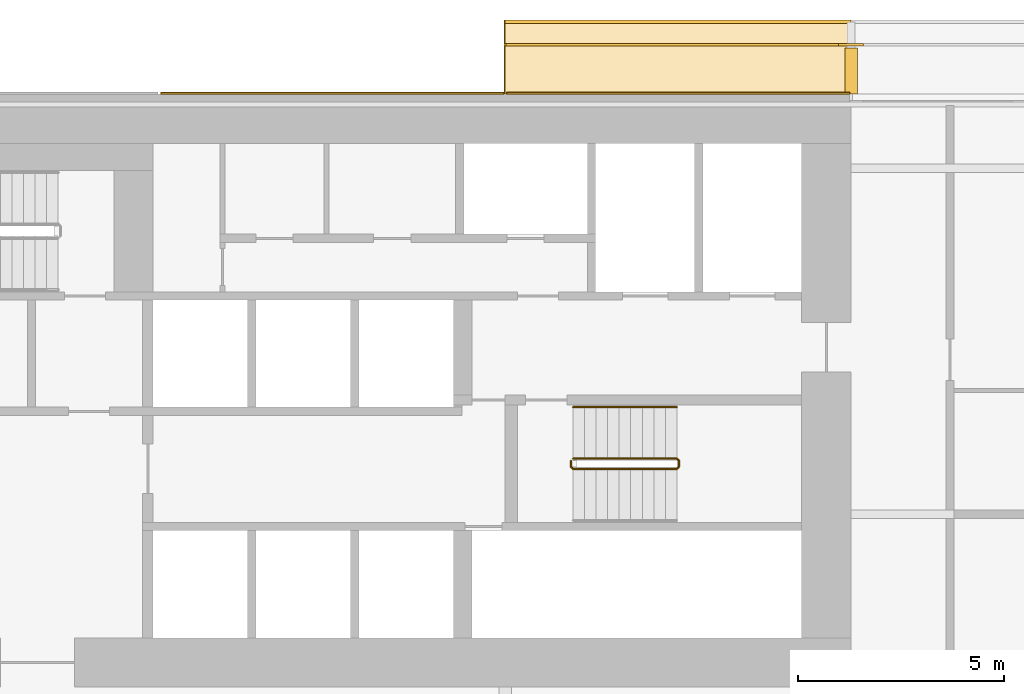
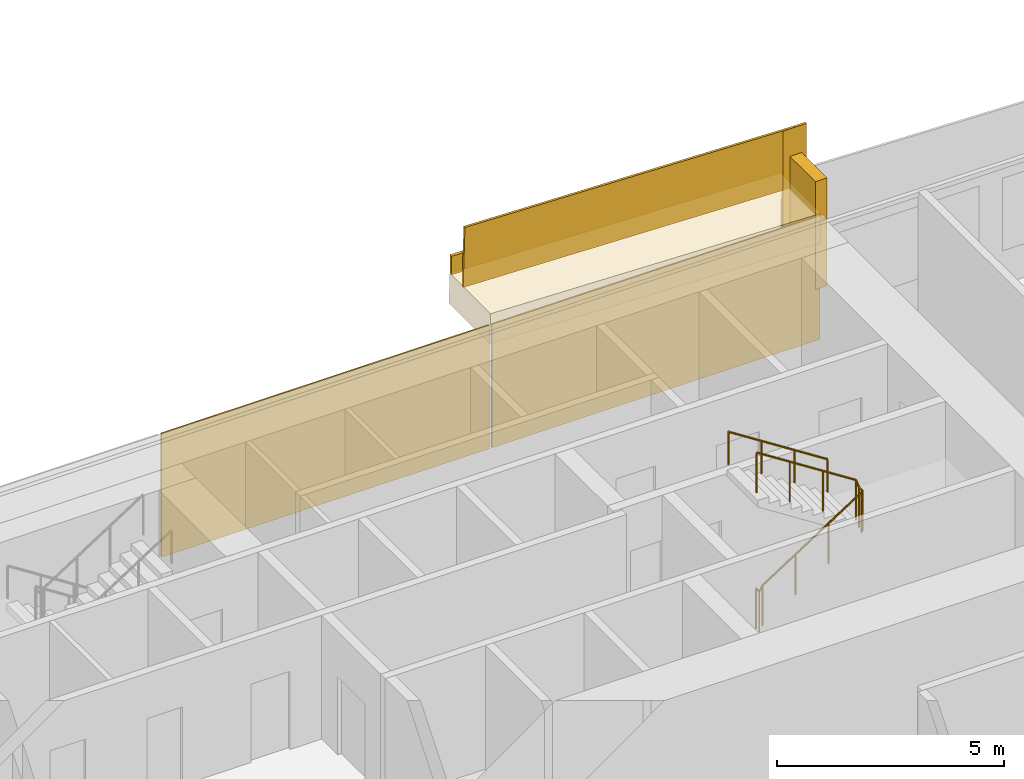
# One storey, part 28 of 30: 5 coverings, 4 railings.
"""IFC4 building model written with IfcOpenShell, lengths in metres."""

from ifc_helpers import new_model, si_unit, direction, frame, origin, origin_2d, place, context, subcontext, project, spatial, polyline, rectangle, circle, outline, extrude, material, layer, layer_set, type_object, element, save


model = new_model("IFC4")

# Units and contexts
model_context = context("Model", 3, precision=1e-05, world=origin(), true_north=direction((0.0, 1.0)))
body_context = subcontext(model_context, "Body", "Model", "MODEL_VIEW")
ifc_project = project(units=[si_unit("LENGTHUNIT", "METRE"), si_unit("AREAUNIT", "SQUARE_METRE"), si_unit("VOLUMEUNIT", "CUBIC_METRE"), si_unit("PLANEANGLEUNIT", "RADIAN"), si_unit("MASSUNIT", "GRAM", prefix="KILO")], contexts=[model_context])

# Site, building, storey
site_placement = place(None, origin())
site = spatial("IfcSite", under=ifc_project, at=site_placement, CompositionType="ELEMENT")
building_placement = place(site_placement, origin())
building = spatial("IfcBuilding", under=site, at=building_placement, Name="Saffron Gate Tower", CompositionType="ELEMENT")
storey_placement = place(building_placement, frame((0.0, 0.0, 37.199951171875)))
storey = spatial("IfcBuildingStorey", under=building, at=storey_placement, Name="L07", CompositionType="ELEMENT", Elevation=37.199951171875)

# Coverings
ifc_material_1 = material(Name="Ceramic-printed bronze insulated panel")
ifc_layer_1 = layer(ifc_material_1, 0.0400390625)
ifc_layer_set_1 = layer_set([ifc_layer_1], Name="CLD1 ceramic-printed cladding panel 40")
covering_type_1 = type_object("IfcCoveringType", Name="CLD1 ceramic-printed cladding panel 40", PredefinedType="CLADDING", material=ifc_layer_set_1)
covering_1_placement = place(storey_placement, origin())
element("IfcCovering", 1, at=covering_1_placement, inside=storey, type_object=covering_type_1, Name="CLADDING ceramic-printed panel", PredefinedType="CLADDING", context=body_context, shape_type="SweptSolid", body=[
    extrude(outline(polyline([(108.56494140625, 75.639892578125), (100.235107421875, 75.639892578125), (100.235107421875, 75.60009765625), (108.56494140625, 75.60009765625), (108.56494140625, 75.639892578125)])), origin(), (0.0, 0.0, 1.0), 3.320068359375),
])
covering_2_placement = place(storey_placement, origin())
element("IfcCovering", 2, at=covering_2_placement, inside=storey, type_object=covering_type_1, Name="CLADDING ceramic-printed panel", PredefinedType="CLADDING", context=body_context, shape_type="SweptSolid", body=[
    extrude(outline(polyline([(100.1650390625, 75.639892578125), (91.8349609375, 75.639892578125), (91.8349609375, 75.60009765625), (100.1650390625, 75.60009765625), (100.1650390625, 75.639892578125)])), origin(), (0.0, 0.0, 1.0), 3.320068359375),
])

# Railings
ifc_material_2 = material(Name="Stainless steel and laminated glass", Category="steel")
railing_type_1 = type_object("IfcRailingType", Name="CR1 Stair guard 1100", PredefinedType="GUARDRAIL", material=ifc_material_2)
railing_1_placement = place(storey_placement, frame((101.800048828125, 66.699951171875, 0.0)))
element("IfcRailing", 3, at=railing_1_placement, inside=storey, type_object=railing_type_1, Name="L07 ST-B stair guard 1", PredefinedType="GUARDRAIL", context=body_context, shape_type="SweptSolid", body=[
    extrude(circle(Radius=0.02392578125, at=origin_2d()), frame((0.0, 0.0, 1.076171875), z_axis=(0.0, -1.0, 0.0), x_axis=(1.0, 0.0, 0.0)), (0.0, 0.0, 1.0), 0.14990234375),
    extrude(circle(Radius=0.02392578125, at=origin_2d()), frame((0.0, -0.14990234375, 1.076171875), z_axis=(0.258847668887, -0.258847668887, 0.930588936439), x_axis=(0.707106781187, 0.707106781187, 0.0)), (0.0, 0.0, 1.0), 0.193359375),
    extrude(circle(Radius=0.02392578125, at=origin_2d()), frame((0.050048828125, -0.199951171875, 1.255859375), z_axis=(0.841162588446, 0.0, 0.540782303519), x_axis=(0.0, 1.0, 0.0)), (0.0, 0.0, 1.0), 2.995849609375),
    extrude(circle(Radius=0.02392578125, at=origin_2d()), frame((2.570068359375, -0.199951171875, 2.8759765625), z_axis=(0.705375805398, 0.708833529934, 0.0), x_axis=(-0.708833529934, 0.705375805398, 0.0)), (0.0, 0.0, 1.0), 0.070556640625),
    extrude(circle(Radius=0.02392578125, at=origin_2d()), frame((2.619873046875, -0.14990234375, 2.8759765625), z_axis=(0.0, 1.0, 0.0), x_axis=(-1.0, 0.0, 0.0)), (0.0, 0.0, 1.0), 0.14990234375),
    extrude(circle(Radius=0.02392578125, at=origin_2d()), frame((2.619873046875, 0.0, 2.8759765625), z_axis=(-0.257669022063, 0.258932105505, 0.930892496375), x_axis=(-0.708833529934, -0.705375805398, 0.0)), (0.0, 0.0, 1.0), 0.193359375),
    extrude(circle(Radius=0.02392578125, at=origin_2d()), frame((2.570068359375, 0.050048828125, 3.05615234375), z_axis=(-0.841162588446, 0.0, 0.540782303519), x_axis=(0.0, -1.0, 0.0)), (0.0, 0.0, 1.0), 2.995849609375),
    extrude(circle(Radius=0.02099609375, at=origin_2d()), origin(), (0.0, 0.0, 1.0), 1.052001953125),
    extrude(circle(Radius=0.02099609375, at=origin_2d()), frame((0.0, -0.14990234375, 0.0)), (0.0, 0.0, 1.0), 1.052001953125),
    extrude(circle(Radius=0.02099609375, at=origin_2d()), frame((0.050048828125, -0.199951171875, 0.179931640625)), (0.0, 0.0, 1.0), 1.052001953125),
    extrude(circle(Radius=0.02099609375, at=origin_2d()), frame((0.89013671875, -0.199951171875, 0.719970703125)), (0.0, 0.0, 1.0), 1.052001953125),
    extrude(circle(Radius=0.02099609375, at=origin_2d()), frame((1.72998046875, -0.199951171875, 1.260009765625)), (0.0, 0.0, 1.0), 1.052001953125),
    extrude(circle(Radius=0.02099609375, at=origin_2d()), frame((2.570068359375, -0.199951171875, 1.800048828125)), (0.0, 0.0, 1.0), 1.052001953125),
    extrude(circle(Radius=0.02099609375, at=origin_2d()), frame((2.619873046875, -0.14990234375, 1.800048828125)), (0.0, 0.0, 1.0), 1.052001953125),
    extrude(circle(Radius=0.02099609375, at=origin_2d()), frame((2.619873046875, 0.0, 1.800048828125)), (0.0, 0.0, 1.0), 1.052001953125),
    extrude(circle(Radius=0.02099609375, at=origin_2d()), frame((2.570068359375, 0.050048828125, 1.97998046875)), (0.0, 0.0, 1.0), 1.052001953125),
    extrude(circle(Radius=0.02099609375, at=origin_2d()), frame((1.72998046875, 0.050048828125, 2.52001953125)), (0.0, 0.0, 1.0), 1.052001953125),
    extrude(circle(Radius=0.02099609375, at=origin_2d()), frame((0.89013671875, 0.050048828125, 3.06005859375)), (0.0, 0.0, 1.0), 1.052001953125),
    extrude(circle(Radius=0.02099609375, at=origin_2d()), frame((0.050048828125, 0.050048828125, 3.60009765625)), (0.0, 0.0, 1.0), 1.052001953125),
])
ifc_material_3 = material(Name="Stainless steel", Category="steel")
railing_type_2 = type_object("IfcRailingType", Name="CR2 Stair handrail 900", PredefinedType="HANDRAIL", material=ifc_material_3)
railing_2_placement = place(storey_placement, frame((104.3701171875, 68.0, 1.97998046875)))
element("IfcRailing", 4, at=railing_2_placement, inside=storey, type_object=railing_type_2, Name="L07 ST-B stair handrail 2", PredefinedType="HANDRAIL", context=body_context, shape_type="SweptSolid", body=[
    extrude(circle(Radius=0.02392578125, at=origin_2d()), frame((0.0, 0.0, 0.8759765625), z_axis=(-0.841162588446, 0.0, 0.540782303519), x_axis=(0.0, -1.0, 0.0)), (0.0, 0.0, 1.0), 2.995849609375),
    extrude(circle(Radius=0.02099609375, at=origin_2d()), origin(), (0.0, 0.0, 1.0), 0.851806640625),
    extrude(circle(Radius=0.02099609375, at=origin_2d()), frame((-0.840087890625, 0.0, 0.5400390625)), (0.0, 0.0, 1.0), 0.851806640625),
    extrude(circle(Radius=0.02099609375, at=origin_2d()), frame((-1.679931640625, 0.0, 1.080078125)), (0.0, 0.0, 1.0), 0.851806640625),
    extrude(circle(Radius=0.02099609375, at=origin_2d()), frame((-2.52001953125, 0.0, 1.6201171875)), (0.0, 0.0, 1.0), 0.851806640625),
])

# Coverings
ifc_material_4 = material(Name="Timber, thermally modified ash", Category="wood")
ifc_layer_2 = layer(ifc_material_4, 0.800048828125)
ifc_layer_set_2 = layer_set([ifc_layer_2], Name="LD1 ledge timber")
covering_type_2 = type_object("IfcCoveringType", Name="LD1 ledge timber", PredefinedType="CLADDING", material=ifc_layer_set_2)
covering_3_placement = place(storey_placement, frame((108.60009765625, 75.60009765625, 3.37255859375), z_axis=(0.028790339263, 0.0, 0.999585472266), x_axis=(-0.999585472266, 0.0, 0.028790339263)))
element("IfcCovering", 5, at=covering_3_placement, inside=storey, type_object=covering_type_2, Name="LEDGE", PredefinedType="CLADDING", context=body_context, shape_type="SweptSolid", body=[
    extrude(outline(polyline([(0.0, 0.0), (8.403630022085892, 0.0), (8.403630022085892, -1.7998046875), (0.0, -1.7998046875), (0.0, 0.0)])), origin(), (0.0, 0.0, -1.0), 0.800048828125),
])
ifc_layer_3 = layer(ifc_material_4, 0.080078125)
ifc_layer_set_3 = layer_set([ifc_layer_3], Name="LD2 ledge planter trough")
covering_type_3 = type_object("IfcCoveringType", Name="LD2 ledge planter trough", PredefinedType="CLADDING", material=ifc_layer_set_3)
covering_4_placement = place(storey_placement, frame((108.60009765625, 77.39990234375, 3.37255859375), z_axis=(0.0, 1.0, 0.0), x_axis=(-0.999585472266, 0.0, 0.028790339263)))
element("IfcCovering", 6, at=covering_4_placement, inside=storey, type_object=covering_type_3, Name="LEDGE planter trough", PredefinedType="CLADDING", context=body_context, shape_type="SweptSolid", body=[
    extrude(outline(polyline([(0.0, 0.0), (8.403630022085892, 0.0), (8.418025191717298, 0.4997927361329725), (0.014395169631405694, 0.4997927361329725), (0.0, 0.0)])), origin(), (0.0, 0.0, -1.0), 0.080078125),
])
ifc_layer_4 = layer(ifc_material_4, 0.300048828125)
ifc_layer_set_4 = layer_set([ifc_layer_4], Name="LD3 ledge riser fin")
covering_type_4 = type_object("IfcCoveringType", Name="LD3 ledge riser fin", PredefinedType="CLADDING", material=ifc_layer_set_4)
covering_5_placement = place(storey_placement, frame((108.60009765625, 76.159912109375, 1.372314453125), z_axis=(0.0, 0.0, 1.0), x_axis=(-1.0, 0.0, 0.0)))
element("IfcCovering", 7, at=covering_5_placement, inside=storey, type_object=covering_type_4, Name="LEDGE riser fin", PredefinedType="CLADDING", context=body_context, shape_type="SweptSolid", body=[
    extrude(rectangle(XDim=0.300048828125, YDim=1.1201171875, at=origin_2d()), origin(), (0.0, 0.0, 1.0), 2.900390625),
])

# Railings
railing_type_3 = type_object("IfcRailingType", Name="LG1 ledge balustrade", PredefinedType="BALUSTRADE", material=ifc_material_4)
railing_3_placement = place(storey_placement, frame((108.60009765625, 76.800048828125, 3.37255859375)))
element("IfcRailing", 8, at=railing_3_placement, inside=storey, type_object=railing_type_3, Name="LEDGE BALUSTRADE", PredefinedType="BALUSTRADE", context=body_context, shape_type="SweptSolid", body=[
    extrude(rectangle(XDim=0.06005859375, YDim=1.60009765625, at=origin_2d()), frame((0.0, 0.0, 0.800048828125), z_axis=(-0.999585472266, 0.0, 0.028790339263), x_axis=(0.0, -1.0, 0.0)), (0.0, 0.0, 1.0), 8.403564453125),
])
railing_4_placement = place(storey_placement, frame((108.89990234375, 76.800048828125, 2.17236328125)))
element("IfcRailing", 9, at=railing_4_placement, inside=storey, type_object=railing_type_3, Name="LEDGE BALUSTRADE", PredefinedType="BALUSTRADE", context=body_context, shape_type="SweptSolid", body=[
    extrude(rectangle(XDim=0.06005859375, YDim=2.80029296875, at=origin_2d()), frame((0.0, 0.0, 1.400146484375), z_axis=(-1.0, 0.0, 0.0), x_axis=(0.0, -1.0, 0.0)), (0.0, 0.0, 1.0), 0.599853515625),
])

save(model, "model.ifc")
